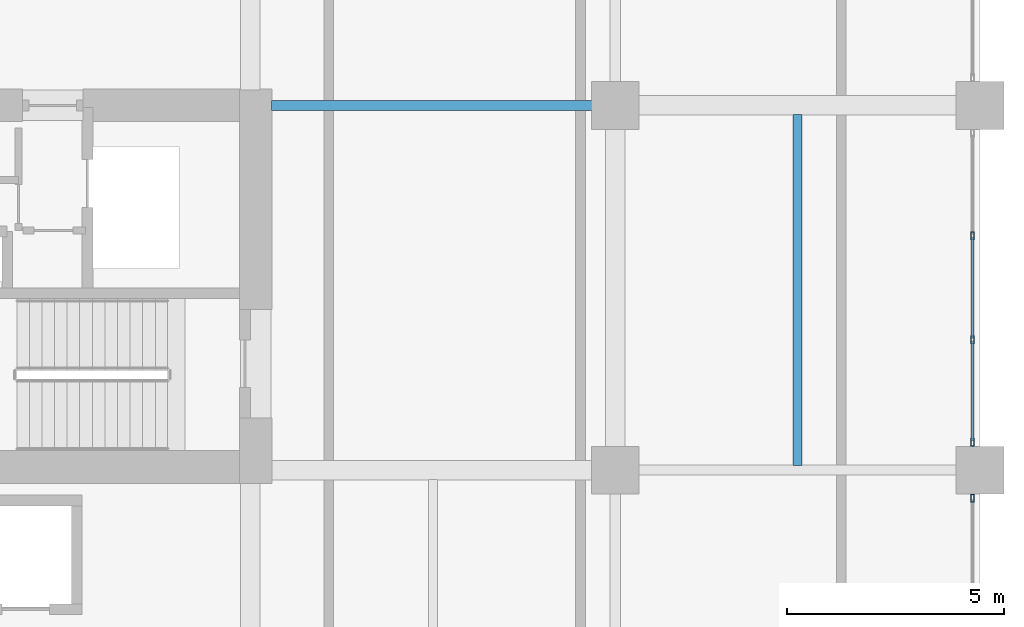
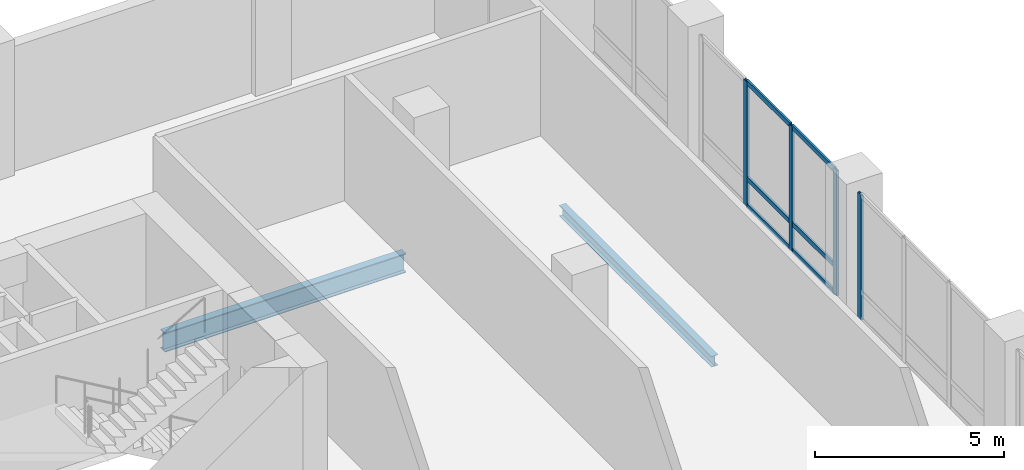
# One storey, part 6 of 25: 10 members, 2 beams, 2 elements without a shape of their own.
"""IFC4 building model written with IfcOpenShell, lengths in metres."""

from ifc_helpers import new_model, si_unit, direction, frame, origin, origin_2d, place, context, subcontext, project, spatial, hollow_rectangle, i_section, extrude, material, layer, layer_set, material_profile, profile_set, type_object, element, aggregate, save


model = new_model("IFC4")

# Units and contexts
model_context = context("Model", 3, precision=1e-05, world=origin(), true_north=direction((0.0, 1.0)))
body_context = subcontext(model_context, "Body", "Model", "MODEL_VIEW")
ifc_project = project(units=[si_unit("LENGTHUNIT", "METRE"), si_unit("AREAUNIT", "SQUARE_METRE"), si_unit("VOLUMEUNIT", "CUBIC_METRE"), si_unit("PLANEANGLEUNIT", "RADIAN"), si_unit("MASSUNIT", "GRAM", prefix="KILO")], contexts=[model_context])

# Site, building, storey
site_placement = place(None, origin())
site = spatial("IfcSite", under=ifc_project, at=site_placement, CompositionType="ELEMENT")
building_placement = place(site_placement, origin())
building = spatial("IfcBuilding", under=site, at=building_placement, Name="Koriwani Terraces Tower", CompositionType="ELEMENT")
storey_placement = place(building_placement, frame((0.0, 0.0, 157.60009765625)))
storey = spatial("IfcBuildingStorey", under=building, at=storey_placement, Name="L38", CompositionType="ELEMENT", Elevation=157.60009765625)

# Curtain wall, members
ifc_material_1 = material(Name="Anodised Bronze Aluminium", Category="aluminium")
ifc_layer = layer(ifc_material_1, 0.169921875, Name="Anodised Bronze Aluminium")
ifc_layer_set = layer_set([ifc_layer], Name="Anodised Bronze Aluminium")
curtain_wall_type = type_object("IfcCurtainWallType", Name="CW_RES_ZONE3", PredefinedType="NOTDEFINED", material=ifc_layer_set)
curtain_wall_1_placement = place(storey_placement, origin())
curtain_wall_1 = element("IfcCurtainWall", 1, at=curtain_wall_1_placement, inside=storey, type_object=curtain_wall_type, Name="L38 Unitised Curtain Wall (E_TIP) Bay 2", PredefinedType="NOTDEFINED")
ifc_material_profile_1 = material_profile(ifc_material_1, hollow_rectangle(XDim=0.074951171875, YDim=0.179931640625, WallThickness=0.006103515625, at=origin_2d()), Name="Anodised Bronze Aluminium", Category="LoadBearing")
ifc_profile_set_1 = profile_set([ifc_material_profile_1], Name="Anodised Bronze Aluminium")
member_type_1 = type_object("IfcMemberType", Name="CW_MULLION_180X75", PredefinedType="MULLION", material=ifc_profile_set_1)
member_1_placement = place(storey_placement, frame((75.425048828125, 22.19677734375, 0.0), z_axis=(0.0, 0.0, 1.0), x_axis=(1.0, 0.0, 0.0)))
member_1 = element("IfcMember", 2, at=member_1_placement, type_object=member_type_1, Name="CW-Z3 mullion 2", PredefinedType="MULLION", context=body_context, shape_type="SweptSolid", body=[
    extrude(hollow_rectangle(XDim=0.074951171875, YDim=0.179931640625, WallThickness=0.006103515625, at=origin_2d()), origin(), (0.0, 0.0, 1.0), 4.0498046875),
])
member_2_placement = place(storey_placement, frame((75.425048828125, 19.80322265625, 0.0), z_axis=(0.0, 0.0, 1.0), x_axis=(1.0, 0.0, 0.0)))
member_2 = element("IfcMember", 3, at=member_2_placement, type_object=member_type_1, Name="CW-Z3 mullion 3", PredefinedType="MULLION", context=body_context, shape_type="SweptSolid", body=[
    extrude(hollow_rectangle(XDim=0.074951171875, YDim=0.179931640625, WallThickness=0.006103515625, at=origin_2d()), origin(), (0.0, 0.0, 1.0), 4.0498046875),
])
member_3_placement = place(storey_placement, frame((75.425048828125, 17.447509765625, 0.0), z_axis=(0.0, 0.0, 1.0), x_axis=(1.0, 0.0, 0.0)))
member_3 = element("IfcMember", 4, at=member_3_placement, type_object=member_type_1, Name="CW-Z3 mullion 4", PredefinedType="MULLION", context=body_context, shape_type="SweptSolid", body=[
    extrude(hollow_rectangle(XDim=0.074951171875, YDim=0.179931640625, WallThickness=0.006103515625, at=origin_2d()), origin(), (0.0, 0.0, 1.0), 4.0498046875),
])

# Curtain wall, member
curtain_wall_2_placement = place(storey_placement, origin())
curtain_wall_2 = element("IfcCurtainWall", 5, at=curtain_wall_2_placement, inside=storey, type_object=curtain_wall_type, Name="L38 Unitised Curtain Wall (E_TIP) Bay 3", PredefinedType="NOTDEFINED")
member_4_placement = place(storey_placement, frame((75.425048828125, 16.152587890625, 0.0), z_axis=(0.0, 0.0, 1.0), x_axis=(1.0, 0.0, 0.0)))
member_4 = element("IfcMember", 6, at=member_4_placement, type_object=member_type_1, Name="CW-Z3 mullion 1", PredefinedType="MULLION", context=body_context, shape_type="SweptSolid", body=[
    extrude(hollow_rectangle(XDim=0.074951171875, YDim=0.179931640625, WallThickness=0.006103515625, at=origin_2d()), origin(), (0.0, 0.0, 1.0), 4.0498046875),
])
aggregate(curtain_wall_2, [member_4])

# Member
ifc_material_profile_2 = material_profile(ifc_material_1, hollow_rectangle(XDim=0.06494140625, YDim=0.14990234375, WallThickness=0.0048828125, at=origin_2d()), Name="Anodised Bronze Aluminium", Category="LoadBearing")
ifc_profile_set_2 = profile_set([ifc_material_profile_2], Name="Anodised Bronze Aluminium")
member_type_2 = type_object("IfcMemberType", Name="CW_TRANSOM_150X65", PredefinedType="USERDEFINED", material=ifc_profile_set_2)
member_5_placement = place(storey_placement, frame((75.425048828125, 22.1591796875, 0.032470703125), z_axis=(0.0, -1.0, 0.0), x_axis=(1.0, 0.0, 0.0)))
member_5 = element("IfcMember", 7, at=member_5_placement, type_object=member_type_2, Name="CW-Z3 transom 2.1", ObjectType="TRANSOM", PredefinedType="USERDEFINED", context=body_context, shape_type="SweptSolid", body=[
    extrude(hollow_rectangle(XDim=0.06494140625, YDim=0.14990234375, WallThickness=0.0048828125, at=origin_2d()), origin(), (0.0, 0.0, 1.0), 2.318359375),
])

member_6_placement = place(storey_placement, frame((75.425048828125, 22.1591796875, 0.89990234375), z_axis=(0.0, -1.0, 0.0), x_axis=(1.0, 0.0, 0.0)))
member_6 = element("IfcMember", 8, at=member_6_placement, type_object=member_type_2, Name="CW-Z3 transom 2.2", ObjectType="TRANSOM", PredefinedType="USERDEFINED", context=body_context, shape_type="SweptSolid", body=[
    extrude(hollow_rectangle(XDim=0.06494140625, YDim=0.14990234375, WallThickness=0.0048828125, at=origin_2d()), origin(), (0.0, 0.0, 1.0), 2.318359375),
])

member_7_placement = place(storey_placement, frame((75.425048828125, 22.1591796875, 4.017333984375), z_axis=(0.0, -1.0, 0.0), x_axis=(1.0, 0.0, 0.0)))
member_7 = element("IfcMember", 9, at=member_7_placement, type_object=member_type_2, Name="CW-Z3 transom 2.3", ObjectType="TRANSOM", PredefinedType="USERDEFINED", context=body_context, shape_type="SweptSolid", body=[
    extrude(hollow_rectangle(XDim=0.06494140625, YDim=0.14990234375, WallThickness=0.0048828125, at=origin_2d()), origin(), (0.0, 0.0, 1.0), 2.318359375),
])

member_8_placement = place(storey_placement, frame((75.425048828125, 19.765869140625, 0.032470703125), z_axis=(0.0, -1.0, 0.0), x_axis=(1.0, 0.0, 0.0)))
member_8 = element("IfcMember", 10, at=member_8_placement, type_object=member_type_2, Name="CW-Z3 transom 3.1", ObjectType="TRANSOM", PredefinedType="USERDEFINED", context=body_context, shape_type="SweptSolid", body=[
    extrude(hollow_rectangle(XDim=0.06494140625, YDim=0.14990234375, WallThickness=0.0048828125, at=origin_2d()), origin(), (0.0, 0.0, 1.0), 2.28076171875),
])

member_9_placement = place(storey_placement, frame((75.425048828125, 19.765869140625, 0.89990234375), z_axis=(0.0, -1.0, 0.0), x_axis=(1.0, 0.0, 0.0)))
member_9 = element("IfcMember", 11, at=member_9_placement, type_object=member_type_2, Name="CW-Z3 transom 3.2", ObjectType="TRANSOM", PredefinedType="USERDEFINED", context=body_context, shape_type="SweptSolid", body=[
    extrude(hollow_rectangle(XDim=0.06494140625, YDim=0.14990234375, WallThickness=0.0048828125, at=origin_2d()), origin(), (0.0, 0.0, 1.0), 2.28076171875),
])

member_10_placement = place(storey_placement, frame((75.425048828125, 19.765869140625, 4.017333984375), z_axis=(0.0, -1.0, 0.0), x_axis=(1.0, 0.0, 0.0)))
member_10 = element("IfcMember", 12, at=member_10_placement, type_object=member_type_2, Name="CW-Z3 transom 3.3", ObjectType="TRANSOM", PredefinedType="USERDEFINED", context=body_context, shape_type="SweptSolid", body=[
    extrude(hollow_rectangle(XDim=0.06494140625, YDim=0.14990234375, WallThickness=0.0048828125, at=origin_2d()), origin(), (0.0, 0.0, 1.0), 2.28076171875),
])

aggregate(curtain_wall_1, [member_1, member_2, member_3, member_5, member_6, member_7, member_8, member_9, member_10])

# Beams
ifc_material_2 = material(Name="Steel ASTM A572 Grade 50", Category="steel")
ifc_material_profile_3 = material_profile(ifc_material_2, i_section(OverallWidth=0.205078125, OverallDepth=0.35400390625, WebThickness=0.009521484375, FlangeThickness=0.016845703125, at=origin_2d()), Name="Steel ASTM A572 Grade 50", Category="LoadBearing")
ifc_profile_set_3 = profile_set([ifc_material_profile_3], Name="Steel ASTM A572 Grade 50")
beam_type_1 = type_object("IfcBeamType", Name="STEEL_BEAM_W360X79", PredefinedType="JOIST", material=ifc_profile_set_3)
beam_1_placement = place(storey_placement, frame((71.39990234375, 16.905517578125, -0.427001953125), z_axis=(0.0, 1.0, 0.0), x_axis=(-1.0, 0.0, 0.0)))
element("IfcBeam", 13, at=beam_1_placement, inside=storey, type_object=beam_type_1, Name="L38 Secondary Steel Floor Joist X=71.4m", PredefinedType="JOIST", context=body_context, shape_type="SweptSolid", body=[
    extrude(i_section(OverallWidth=0.205078125, OverallDepth=0.35400390625, WebThickness=0.009521484375, FlangeThickness=0.016845703125, at=origin_2d()), origin(), (0.0, 0.0, 1.0), 8.07958984375),
])
ifc_material_profile_4 = material_profile(ifc_material_2, i_section(OverallWidth=0.23095703125, OverallDepth=0.616943359375, WebThickness=0.015380859375, FlangeThickness=0.0244140625, at=origin_2d()), Name="Steel ASTM A572 Grade 50", Category="LoadBearing")
ifc_profile_set_4 = profile_set([ifc_material_profile_4], Name="Steel ASTM A572 Grade 50")
beam_type_2 = type_object("IfcBeamType", Name="STEEL_BEAM_W610X195", PredefinedType="BEAM", material=ifc_profile_set_4)
beam_2_placement = place(storey_placement, frame((59.280029296875, 25.199951171875, -0.55859375), z_axis=(1.0, 0.0, 0.0), x_axis=(0.0, 1.0, 0.0)))
element("IfcBeam", 14, at=beam_2_placement, inside=storey, type_object=beam_type_2, Name="L38 Grid Beam D (58.8-67.2m)", PredefinedType="BEAM", context=body_context, shape_type="SweptSolid", body=[
    extrude(i_section(OverallWidth=0.23095703125, OverallDepth=0.616943359375, WebThickness=0.015380859375, FlangeThickness=0.0244140625, at=origin_2d()), origin(), (0.0, 0.0, 1.0), 7.389892578125),
])

save(model, "model.ifc")
